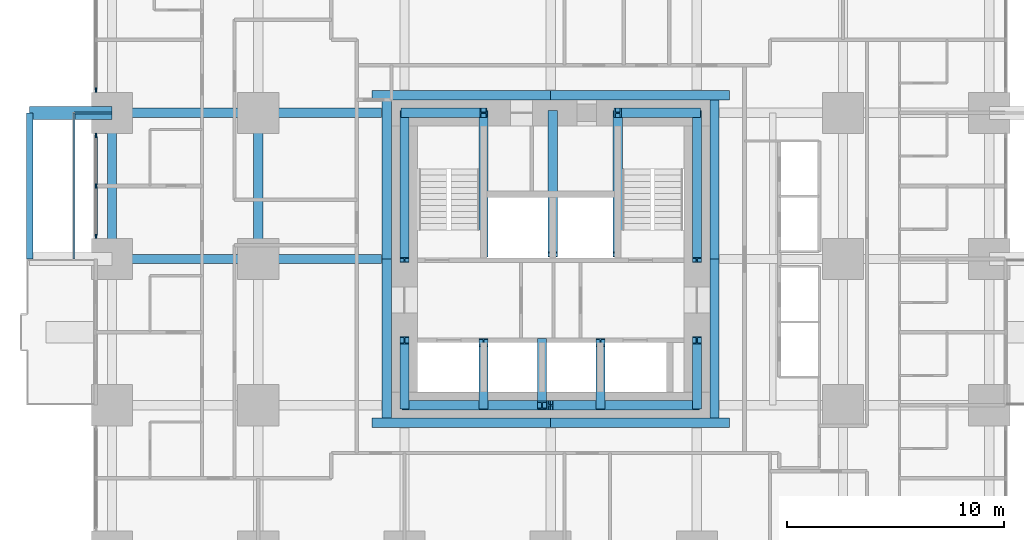
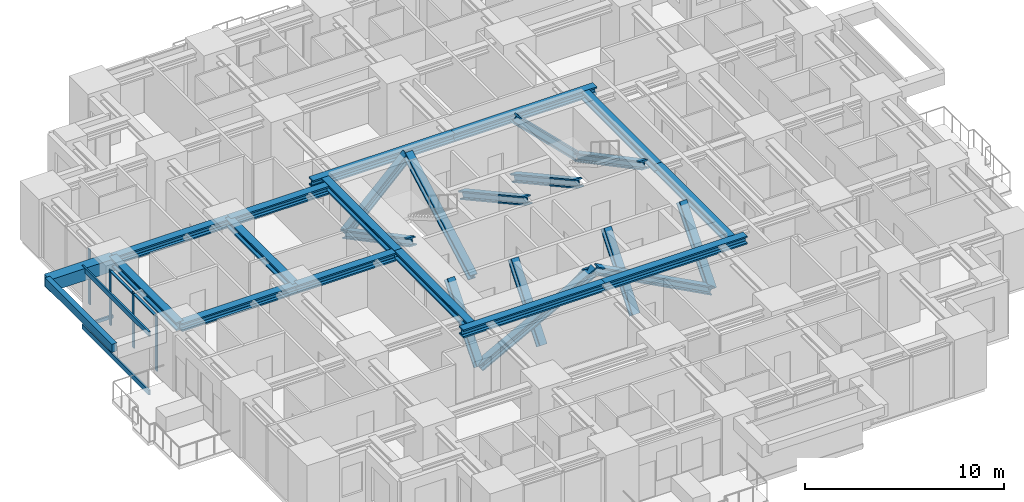
# One storey, part 3 of 15: 23 members, 16 beams, 2 elements without a shape of their own.
"""IFC4 building model written with IfcOpenShell, lengths in metres."""

from ifc_helpers import new_model, si_unit, direction, frame, origin, origin_2d, place, context, subcontext, project, spatial, rectangle, hollow_rectangle, i_section, extrude, material, material_profile, profile_set, type_object, element, aggregate, save


model = new_model("IFC4")

# Units and contexts
model_context = context("Model", 3, precision=1e-05, world=origin(), true_north=direction((0.0, 1.0)))
body_context = subcontext(model_context, "Body", "Model", "MODEL_VIEW")
ifc_project = project(units=[si_unit("LENGTHUNIT", "METRE"), si_unit("AREAUNIT", "SQUARE_METRE"), si_unit("VOLUMEUNIT", "CUBIC_METRE"), si_unit("PLANEANGLEUNIT", "RADIAN"), si_unit("MASSUNIT", "GRAM", prefix="KILO")], contexts=[model_context])

# Site, building, storey
site_placement = place(None, origin())
site = spatial("IfcSite", under=ifc_project, at=site_placement, CompositionType="ELEMENT")
building_placement = place(site_placement, origin())
building = spatial("IfcBuilding", under=site, at=building_placement, Name="Nyansa Garden Tower", CompositionType="ELEMENT")
storey_placement = place(building_placement, frame((0.0, 0.0, 25.199951171875)))
storey = spatial("IfcBuildingStorey", under=building, at=storey_placement, Name="L06", CompositionType="ELEMENT", Elevation=25.199951171875)

# Beams
ifc_material_1 = material(Name="Concrete C70/85", Category="concrete")
ifc_material_profile_1 = material_profile(ifc_material_1, rectangle(XDim=0.60009765625, YDim=0.75, at=origin_2d()), Name="RC 600x750")
ifc_profile_set_1 = profile_set([ifc_material_profile_1], Name="Concrete C70/85")
beam_type_1 = type_object("IfcBeamType", Name="Balcony cantilever beam CB1 RC 600x750", PredefinedType="BEAM", material=ifc_profile_set_1)
beam_1_placement = place(storey_placement, frame((0.0, 27.0, 2.985107421875), z_axis=(-1.0, 0.0, 0.0), x_axis=(0.0, -1.0, 0.0)))
element("IfcBeam", 1, at=beam_1_placement, inside=storey, type_object=beam_type_1, Name="Balcony cantilever beam L07", PredefinedType="BEAM", context=body_context, shape_type="SweptSolid", body=[
    extrude(rectangle(XDim=0.60009765625, YDim=0.75, at=origin_2d()), origin(), (0.0, 0.0, 1.0), 3.800048828125),
])
ifc_material_2 = material(Name="Concrete C70/85", Category="concrete")
ifc_material_profile_2 = material_profile(ifc_material_2, rectangle(XDim=0.300048828125, YDim=0.5, at=origin_2d()), Name="RC 300x500")
ifc_profile_set_2 = profile_set([ifc_material_profile_2], Name="Concrete C70/85")
beam_type_2 = type_object("IfcBeamType", Name="Balcony edge beam BE1 RC 300x500", PredefinedType="BEAM", material=ifc_profile_set_2)
beam_2_placement = place(storey_placement, frame((-3.800048828125, 20.25, 3.110107421875), z_axis=(0.0, 1.0, 0.0), x_axis=(-1.0, 0.0, 0.0)))
element("IfcBeam", 2, at=beam_2_placement, inside=storey, type_object=beam_type_2, Name="Balcony edge beam L07", PredefinedType="BEAM", context=body_context, shape_type="SweptSolid", body=[
    extrude(rectangle(XDim=0.300048828125, YDim=0.5, at=origin_2d()), origin(), (0.0, 0.0, 1.0), 6.75),
])

# Curtain wall, member
ifc_material_3 = material(Name="Black anodised aluminium, dark tinted double glazing", Category="aluminium")
curtain_wall_type = type_object("IfcCurtainWallType", Name="Inner skin curtain wall ISW-A", PredefinedType="USERDEFINED", material=ifc_material_3)
curtain_wall_1_placement = place(storey_placement, origin())
curtain_wall_1 = element("IfcCurtainWall", 3, at=curtain_wall_1_placement, inside=storey, type_object=curtain_wall_type, Name="Inner skin curtain wall L06 W", ObjectType="UNITISED CURTAIN WALL", PredefinedType="USERDEFINED")
ifc_material_4 = material(Name="Black anodised aluminium", Category="aluminium")
ifc_material_profile_3 = material_profile(ifc_material_4, rectangle(XDim=0.06494140625, YDim=0.199951171875, at=origin_2d()), Name="Mullion 200x65")
ifc_profile_set_3 = profile_set([ifc_material_profile_3], Name="Black anodised aluminium")
member_type_1 = type_object("IfcMemberType", Name="Mullion ISW-A 200x65", PredefinedType="MULLION", material=ifc_profile_set_3)
member_1_placement = place(storey_placement, frame((-0.75, 28.050048828125, 0.0), z_axis=(0.0, 0.0, 1.0), x_axis=(1.0, 0.0, 0.0)))
member_1 = element("IfcMember", 4, at=member_1_placement, type_object=member_type_1, Name="ISW-A mullion 3", PredefinedType="MULLION", context=body_context, shape_type="SweptSolid", body=[
    extrude(rectangle(XDim=0.06494140625, YDim=0.199951171875, at=origin_2d()), origin(), (0.0, 0.0, 1.0), 3.375),
])
aggregate(curtain_wall_1, [member_1])

# Curtain wall, members
curtain_wall_2_placement = place(storey_placement, origin())
curtain_wall_2 = element("IfcCurtainWall", 5, at=curtain_wall_2_placement, inside=storey, type_object=curtain_wall_type, Name="Inner skin curtain wall L06 W", ObjectType="UNITISED CURTAIN WALL", PredefinedType="USERDEFINED")
member_2_placement = place(storey_placement, frame((-0.75, 25.949951171875, 0.0), z_axis=(0.0, 0.0, 1.0), x_axis=(1.0, 0.0, 0.0)))
member_2 = element("IfcMember", 6, at=member_2_placement, type_object=member_type_1, Name="ISW-A mullion 1", PredefinedType="MULLION", context=body_context, shape_type="SweptSolid", body=[
    extrude(rectangle(XDim=0.06494140625, YDim=0.199951171875, at=origin_2d()), origin(), (0.0, 0.0, 1.0), 3.375),
])
member_3_placement = place(storey_placement, frame((-0.75, 23.625, 0.0), z_axis=(0.0, 0.0, 1.0), x_axis=(1.0, 0.0, 0.0)))
member_3 = element("IfcMember", 7, at=member_3_placement, type_object=member_type_1, Name="ISW-A mullion 2", PredefinedType="MULLION", context=body_context, shape_type="SweptSolid", body=[
    extrude(rectangle(XDim=0.06494140625, YDim=0.199951171875, at=origin_2d()), origin(), (0.0, 0.0, 1.0), 3.375),
])
member_4_placement = place(storey_placement, frame((-0.75, 21.300048828125, 0.0), z_axis=(0.0, 0.0, 1.0), x_axis=(1.0, 0.0, 0.0)))
member_4 = element("IfcMember", 8, at=member_4_placement, type_object=member_type_1, Name="ISW-A mullion 3", PredefinedType="MULLION", context=body_context, shape_type="SweptSolid", body=[
    extrude(rectangle(XDim=0.06494140625, YDim=0.199951171875, at=origin_2d()), origin(), (0.0, 0.0, 1.0), 3.375),
])

# Members
ifc_material_5 = material(Name="Steel S355, black powder coated", Category="steel")
ifc_material_profile_4 = material_profile(ifc_material_5, hollow_rectangle(XDim=0.10009765625, YDim=0.199951171875, WallThickness=0.008056640625, at=origin_2d()), Name="RHS 200x100x8")
ifc_profile_set_4 = profile_set([ifc_material_profile_4], Name="Steel S355, black powder coated")
member_type_2 = type_object("IfcMemberType", Name="Outer skin bracket arm RHS 200x100x8", PredefinedType="USERDEFINED", material=ifc_profile_set_4)
member_5_placement = place(storey_placement, frame((0.0, 27.0, -0.375), z_axis=(-1.0, 0.0, 0.0), x_axis=(0.0, -1.0, 0.0)))
element("IfcMember", 9, at=member_5_placement, inside=storey, type_object=member_type_2, Name="Outer skin bracket arm", ObjectType="OUTER SKIN BRACKET", PredefinedType="USERDEFINED", context=body_context, shape_type="SweptSolid", body=[
    extrude(hollow_rectangle(XDim=0.10009765625, YDim=0.199951171875, WallThickness=0.008056640625, at=origin_2d()), origin(), (0.0, 0.0, 1.0), 1.75),
])
ifc_material_6 = material(Name="Steel S355, black powder coated", Category="steel")
ifc_material_profile_5 = material_profile(ifc_material_6, hollow_rectangle(XDim=0.10009765625, YDim=0.300048828125, WallThickness=0.010009765625, at=origin_2d()), Name="RHS 300x100x10")
ifc_profile_set_5 = profile_set([ifc_material_profile_5], Name="Steel S355, black powder coated")
member_type_3 = type_object("IfcMemberType", Name="Outer skin rail RHS 300x100x10", PredefinedType="USERDEFINED", material=ifc_profile_set_5)
for number, where, z_axis, x_axis, name in (
    (10, (-1.75, 20.25, -0.375), (0.0, 1.0, 0.0), (-1.0, 0.0, 0.0), "Outer skin rail L06"),
    (11, (-1.75, 20.25, 3.22509765625), (0.0, 1.0, 0.0), (-1.0, 0.0, 0.0), "Outer skin rail L06 head"),
):
    element("IfcMember", number, at=place(storey_placement, frame(where, z_axis=z_axis, x_axis=x_axis)), inside=storey, type_object=member_type_3, Name=name, ObjectType="OUTER SKIN RAIL", PredefinedType="USERDEFINED", context=body_context, shape_type="SweptSolid", body=[
        extrude(hollow_rectangle(XDim=0.10009765625, YDim=0.300048828125, WallThickness=0.010009765625, at=origin_2d()), origin(), (0.0, 0.0, 1.0), 6.75),
    ])
ifc_material_7 = material(Name="Steel S355", Category="steel")
ifc_material_profile_6 = material_profile(ifc_material_7, i_section(OverallWidth=0.424072265625, OverallDepth=0.47412109375, WebThickness=0.047607421875, FlangeThickness=0.076904296875, FilletRadius=0.014892578125, at=origin_2d()), Name="HD 400x634")
ifc_profile_set_6 = profile_set([ifc_material_profile_6], Name="Steel S355")
member_type_4 = type_object("IfcMemberType", Name="Perimeter brace HD 400x634", PredefinedType="BRACE", material=ifc_profile_set_6)
for number, where, z_axis, x_axis, name in (
    (12, (13.5, 13.5, 0.0), (0.882347640589, 0.0, 0.47059817376), (0.0, 1.0, 0.0), "Core brace CS1 L06"),
    (13, (27.0, 13.5, 0.0), (-0.882347640589, 0.0, 0.47059817376), (0.0, -1.0, 0.0), "Core brace CS2 L06"),
):
    element("IfcMember", number, at=place(storey_placement, frame(where, z_axis=z_axis, x_axis=x_axis)), inside=storey, type_object=member_type_4, Name=name, PredefinedType="BRACE", context=body_context, shape_type="SweptSolid", body=[
        extrude(i_section(OverallWidth=0.424072265625, OverallDepth=0.47412109375, WebThickness=0.047607421875, FlangeThickness=0.076904296875, FilletRadius=0.014892578125, at=origin_2d()), origin(), (0.0, 0.0, 1.0), 7.650146484375),
    ])
for number, where, z_axis, x_axis, name in (
    (14, (13.5, 27.0, 0.0), (0.711947531702, 0.0, 0.702232662373), (0.0, 1.0, 0.0), "Core brace CN3 L06"),
    (15, (27.0, 27.0, 0.0), (-0.711947531702, 0.0, 0.702232662373), (0.0, -1.0, 0.0), "Core brace CN4 L06"),
):
    element("IfcMember", number, at=place(storey_placement, frame(where, z_axis=z_axis, x_axis=x_axis)), inside=storey, type_object=member_type_4, Name=name, PredefinedType="BRACE", context=body_context, shape_type="SweptSolid", body=[
        extrude(i_section(OverallWidth=0.424072265625, OverallDepth=0.47412109375, WebThickness=0.047607421875, FlangeThickness=0.076904296875, FilletRadius=0.014892578125, at=origin_2d()), origin(), (0.0, 0.0, 1.0), 5.126708984375),
    ])
member_6_placement = place(storey_placement, frame((13.5, 13.5, 0.0), z_axis=(0.0, 0.640174150918, 0.768229820104), x_axis=(-1.0, 0.0, 0.0)))
element("IfcMember", 16, at=member_6_placement, inside=storey, type_object=member_type_4, Name="Core brace CW5 L06", PredefinedType="BRACE", context=body_context, shape_type="SweptSolid", body=[
    extrude(i_section(OverallWidth=0.424072265625, OverallDepth=0.47412109375, WebThickness=0.047607421875, FlangeThickness=0.076904296875, FilletRadius=0.014892578125, at=origin_2d()), origin(), (0.0, 0.0, 1.0), 4.686279296875),
])
member_7_placement = place(storey_placement, frame((13.5, 27.0, 0.0), z_axis=(0.0, -0.883784057226, 0.467895009796), x_axis=(1.0, 0.0, 0.0)))
element("IfcMember", 17, at=member_7_placement, inside=storey, type_object=member_type_4, Name="Core brace CW6 L06", PredefinedType="BRACE", context=body_context, shape_type="SweptSolid", body=[
    extrude(i_section(OverallWidth=0.424072265625, OverallDepth=0.47412109375, WebThickness=0.047607421875, FlangeThickness=0.076904296875, FilletRadius=0.014892578125, at=origin_2d()), origin(), (0.0, 0.0, 1.0), 7.6943359375),
])
member_8_placement = place(storey_placement, frame((27.0, 13.5, 0.0), z_axis=(0.0, 0.640174150918, 0.768229820104), x_axis=(-1.0, 0.0, 0.0)))
element("IfcMember", 18, at=member_8_placement, inside=storey, type_object=member_type_4, Name="Core brace CE7 L06", PredefinedType="BRACE", context=body_context, shape_type="SweptSolid", body=[
    extrude(i_section(OverallWidth=0.424072265625, OverallDepth=0.47412109375, WebThickness=0.047607421875, FlangeThickness=0.076904296875, FilletRadius=0.014892578125, at=origin_2d()), origin(), (0.0, 0.0, 1.0), 4.686279296875),
])
member_9_placement = place(storey_placement, frame((27.0, 27.0, 0.0), z_axis=(0.0, -0.883784057226, 0.467895009796), x_axis=(1.0, 0.0, 0.0)))
element("IfcMember", 19, at=member_9_placement, inside=storey, type_object=member_type_4, Name="Core brace CE8 L06", PredefinedType="BRACE", context=body_context, shape_type="SweptSolid", body=[
    extrude(i_section(OverallWidth=0.424072265625, OverallDepth=0.47412109375, WebThickness=0.047607421875, FlangeThickness=0.076904296875, FilletRadius=0.014892578125, at=origin_2d()), origin(), (0.0, 0.0, 1.0), 7.6943359375),
])
for number, where, z_axis, x_axis, name in (
    (20, (17.14990234375, 20.449951171875, 0.0), (0.0, 0.876353113771, 0.481669201822), (-1.0, 0.0, 0.0), "Core brace CWS9 L06"),
    (21, (23.35009765625, 27.0, 0.0), (0.0, -0.876353113771, 0.481669201822), (1.0, 0.0, 0.0), "Core brace CES10 L06"),
):
    element("IfcMember", number, at=place(storey_placement, frame(where, z_axis=z_axis, x_axis=x_axis)), inside=storey, type_object=member_type_4, Name=name, PredefinedType="BRACE", context=body_context, shape_type="SweptSolid", body=[
        extrude(i_section(OverallWidth=0.424072265625, OverallDepth=0.47412109375, WebThickness=0.047607421875, FlangeThickness=0.076904296875, FilletRadius=0.014892578125, at=origin_2d()), origin(), (0.0, 0.0, 1.0), 7.47412109375),
    ])
for number, where, z_axis, x_axis, name in (
    (22, (17.14990234375, 13.5, 0.0), (0.0, 0.627306405886, 0.778772542617), (-1.0, 0.0, 0.0), "Core brace CSW11 L06"),
    (23, (19.85009765625, 16.39990234375, 0.0), (0.0, -0.627306405886, 0.778772542617), (1.0, 0.0, 0.0), "Core brace CSW12 L06"),
    (24, (22.550048828125, 13.5, 0.0), (0.0, 0.627306405886, 0.778772542617), (-1.0, 0.0, 0.0), "Core brace CSW13 L06"),
):
    element("IfcMember", number, at=place(storey_placement, frame(where, z_axis=z_axis, x_axis=x_axis)), inside=storey, type_object=member_type_4, Name=name, PredefinedType="BRACE", context=body_context, shape_type="SweptSolid", body=[
        extrude(i_section(OverallWidth=0.424072265625, OverallDepth=0.47412109375, WebThickness=0.047607421875, FlangeThickness=0.076904296875, FilletRadius=0.014892578125, at=origin_2d()), origin(), (0.0, 0.0, 1.0), 4.622802734375),
    ])
member_10_placement = place(storey_placement, frame((20.35009765625, 27.0, 0.0), z_axis=(0.0, -0.876353113771, 0.481669201822), x_axis=(1.0, 0.0, 0.0)))
element("IfcMember", 25, at=member_10_placement, inside=storey, type_object=member_type_4, Name="Core brace CNW14 L06", PredefinedType="BRACE", context=body_context, shape_type="SweptSolid", body=[
    extrude(i_section(OverallWidth=0.424072265625, OverallDepth=0.47412109375, WebThickness=0.047607421875, FlangeThickness=0.076904296875, FilletRadius=0.014892578125, at=origin_2d()), origin(), (0.0, 0.0, 1.0), 7.47412109375),
])

# Beams
ifc_material_8 = material(Name="Steel S355", Category="steel")
ifc_material_profile_7 = material_profile(ifc_material_8, i_section(OverallWidth=0.431884765625, OverallDepth=0.498046875, WebThickness=0.0556640625, FlangeThickness=0.0888671875, FilletRadius=0.014892578125, at=origin_2d()), Name="HD 400x744")
ifc_profile_set_7 = profile_set([ifc_material_profile_7], Name="Steel S355")
beam_type_3 = type_object("IfcBeamType", Name="Steel beam SBA1-744 HD 400x744", PredefinedType="BEAM", material=ifc_profile_set_7)
for number, where, z_axis, x_axis, name in (
    (26, (0.0, 20.25, 3.1259765625), (1.0, 0.0, 0.0), (0.0, 1.0, 0.0), "Steel beam 2/G-3/G L07"),
    (27, (0.0, 27.0, 3.1259765625), (1.0, 0.0, 0.0), (0.0, 1.0, 0.0), "Steel beam 2/H-3/H L07"),
    (28, (6.75, 20.25, 3.1259765625), (0.0, 1.0, 0.0), (-1.0, 0.0, 0.0), "Steel beam 3/G-3/H L07"),
):
    element("IfcBeam", number, at=place(storey_placement, frame(where, z_axis=z_axis, x_axis=x_axis)), inside=storey, type_object=beam_type_3, Name=name, PredefinedType="BEAM", context=body_context, shape_type="SweptSolid", body=[
        extrude(i_section(OverallWidth=0.431884765625, OverallDepth=0.498046875, WebThickness=0.0556640625, FlangeThickness=0.0888671875, FilletRadius=0.014892578125, at=origin_2d()), origin(), (0.0, 0.0, 1.0), 6.75),
    ])
for number, where, z_axis, x_axis, name in (
    (29, (6.75, 20.25, 3.1259765625), (1.0, 0.0, 0.0), (0.0, 1.0, 0.0), "Steel beam 3/G-12.450/G L07"),
    (30, (6.75, 27.0, 3.1259765625), (1.0, 0.0, 0.0), (0.0, 1.0, 0.0), "Steel beam 3/H-12.450/H L07"),
):
    element("IfcBeam", number, at=place(storey_placement, frame(where, z_axis=z_axis, x_axis=x_axis)), inside=storey, type_object=beam_type_3, Name=name, PredefinedType="BEAM", context=body_context, shape_type="SweptSolid", body=[
        extrude(i_section(OverallWidth=0.431884765625, OverallDepth=0.498046875, WebThickness=0.0556640625, FlangeThickness=0.0888671875, FilletRadius=0.014892578125, at=origin_2d()), origin(), (0.0, 0.0, 1.0), 5.699951171875),
    ])
ifc_material_9 = material(Name="Steel S355", Category="steel")
ifc_material_profile_8 = material_profile(ifc_material_9, i_section(OverallWidth=0.431884765625, OverallDepth=0.498046875, WebThickness=0.0556640625, FlangeThickness=0.0888671875, FilletRadius=0.014892578125, at=origin_2d()), Name="HD 400x744")
ifc_profile_set_8 = profile_set([ifc_material_profile_8], Name="Steel S355")
beam_type_4 = type_object("IfcBeamType", Name="Steel beam SEBA-744 HD 400x744", PredefinedType="BEAM", material=ifc_profile_set_8)
beam_3_placement = place(storey_placement, frame((0.0, 20.25, 3.1259765625), z_axis=(0.0, 1.0, 0.0), x_axis=(-1.0, 0.0, 0.0)))
element("IfcBeam", 31, at=beam_3_placement, inside=storey, type_object=beam_type_4, Name="Steel edge beam 2/G-2/H L07", PredefinedType="BEAM", context=body_context, shape_type="SweptSolid", body=[
    extrude(i_section(OverallWidth=0.431884765625, OverallDepth=0.498046875, WebThickness=0.0556640625, FlangeThickness=0.0888671875, FilletRadius=0.014892578125, at=origin_2d()), origin(), (0.0, 0.0, 1.0), 6.75),
])
ifc_material_10 = material(Name="Steel S355", Category="steel")
ifc_material_profile_9 = material_profile(ifc_material_10, i_section(OverallWidth=0.431884765625, OverallDepth=0.498046875, WebThickness=0.0556640625, FlangeThickness=0.0888671875, FilletRadius=0.014892578125, at=origin_2d()), Name="HD 400x744")
ifc_profile_set_9 = profile_set([ifc_material_profile_9], Name="Steel S355")
beam_type_5 = type_object("IfcBeamType", Name="Steel beam SLB1-744 HD 400x744", PredefinedType="BEAM", material=ifc_profile_set_9)
for number, where, z_axis, x_axis, name in (
    (32, (12.0, 12.68408203125, 3.1259765625), (1.0, 0.0, 0.0), (0.0, 1.0, 0.0), "Steel core ledger beam S.1 L07"),
    (33, (20.25, 12.68408203125, 3.1259765625), (1.0, 0.0, 0.0), (0.0, 1.0, 0.0), "Steel core ledger beam S.2 L07"),
):
    element("IfcBeam", number, at=place(storey_placement, frame(where, z_axis=z_axis, x_axis=x_axis)), inside=storey, type_object=beam_type_5, Name=name, PredefinedType="BEAM", context=body_context, shape_type="SweptSolid", body=[
        extrude(i_section(OverallWidth=0.431884765625, OverallDepth=0.498046875, WebThickness=0.0556640625, FlangeThickness=0.0888671875, FilletRadius=0.014892578125, at=origin_2d()), origin(), (0.0, 0.0, 1.0), 8.25),
    ])
for number, where, z_axis, x_axis, name in (
    (34, (27.81591796875, 12.89990234375, 3.1259765625), (0.0, 1.0, 0.0), (-1.0, 0.0, 0.0), "Steel core ledger beam E.1 L07"),
    (35, (27.81591796875, 20.25, 3.1259765625), (0.0, 1.0, 0.0), (-1.0, 0.0, 0.0), "Steel core ledger beam E.2 L07"),
):
    element("IfcBeam", number, at=place(storey_placement, frame(where, z_axis=z_axis, x_axis=x_axis)), inside=storey, type_object=beam_type_5, Name=name, PredefinedType="BEAM", context=body_context, shape_type="SweptSolid", body=[
        extrude(i_section(OverallWidth=0.431884765625, OverallDepth=0.498046875, WebThickness=0.0556640625, FlangeThickness=0.0888671875, FilletRadius=0.014892578125, at=origin_2d()), origin(), (0.0, 0.0, 1.0), 7.35009765625),
    ])
for number, where, z_axis, x_axis, name in (
    (36, (28.5, 27.81591796875, 3.1259765625), (-1.0, 0.0, 0.0), (0.0, -1.0, 0.0), "Steel core ledger beam N.1 L07"),
    (37, (20.25, 27.81591796875, 3.1259765625), (-1.0, 0.0, 0.0), (0.0, -1.0, 0.0), "Steel core ledger beam N.2 L07"),
):
    element("IfcBeam", number, at=place(storey_placement, frame(where, z_axis=z_axis, x_axis=x_axis)), inside=storey, type_object=beam_type_5, Name=name, PredefinedType="BEAM", context=body_context, shape_type="SweptSolid", body=[
        extrude(i_section(OverallWidth=0.431884765625, OverallDepth=0.498046875, WebThickness=0.0556640625, FlangeThickness=0.0888671875, FilletRadius=0.014892578125, at=origin_2d()), origin(), (0.0, 0.0, 1.0), 8.25),
    ])
for number, where, z_axis, x_axis, name in (
    (38, (12.68408203125, 27.60009765625, 3.1259765625), (0.0, -1.0, 0.0), (1.0, 0.0, 0.0), "Steel core ledger beam W.1 L07"),
    (39, (12.68408203125, 20.25, 3.1259765625), (0.0, -1.0, 0.0), (1.0, 0.0, 0.0), "Steel core ledger beam W.2 L07"),
):
    element("IfcBeam", number, at=place(storey_placement, frame(where, z_axis=z_axis, x_axis=x_axis)), inside=storey, type_object=beam_type_5, Name=name, PredefinedType="BEAM", context=body_context, shape_type="SweptSolid", body=[
        extrude(i_section(OverallWidth=0.431884765625, OverallDepth=0.498046875, WebThickness=0.0556640625, FlangeThickness=0.0888671875, FilletRadius=0.014892578125, at=origin_2d()), origin(), (0.0, 0.0, 1.0), 7.35009765625),
    ])

# Member
ifc_material_11 = material(Name="Black anodised aluminium", Category="aluminium")
ifc_material_profile_10 = material_profile(ifc_material_11, rectangle(XDim=0.14990234375, YDim=0.06494140625, at=origin_2d()), Name="Transom 150x65")
ifc_profile_set_10 = profile_set([ifc_material_profile_10], Name="Black anodised aluminium")
member_type_5 = type_object("IfcMemberType", Name="Transom ISW-A 150x65", PredefinedType="USERDEFINED", material=ifc_profile_set_10)
member_11_placement = place(storey_placement, frame((-0.75, 25.91748046875, 3.342529296875), z_axis=(0.0, -1.0, 0.0), x_axis=(1.0, 0.0, 0.0)))
member_11 = element("IfcMember", 40, at=member_11_placement, type_object=member_type_5, Name="ISW-A transom 1", ObjectType="TRANSOM", PredefinedType="USERDEFINED", context=body_context, shape_type="SweptSolid", body=[
    extrude(rectangle(XDim=0.14990234375, YDim=0.06494140625, at=origin_2d()), origin(), (0.0, 0.0, 1.0), 2.260009765625),
])

member_12_placement = place(storey_placement, frame((-0.75, 23.592529296875, 3.342529296875), z_axis=(0.0, -1.0, 0.0), x_axis=(1.0, 0.0, 0.0)))
member_12 = element("IfcMember", 41, at=member_12_placement, type_object=member_type_5, Name="ISW-A transom 2", ObjectType="TRANSOM", PredefinedType="USERDEFINED", context=body_context, shape_type="SweptSolid", body=[
    extrude(rectangle(XDim=0.14990234375, YDim=0.06494140625, at=origin_2d()), origin(), (0.0, 0.0, 1.0), 2.260009765625),
])

aggregate(curtain_wall_2, [member_2, member_3, member_4, member_11, member_12])

save(model, "model.ifc")
